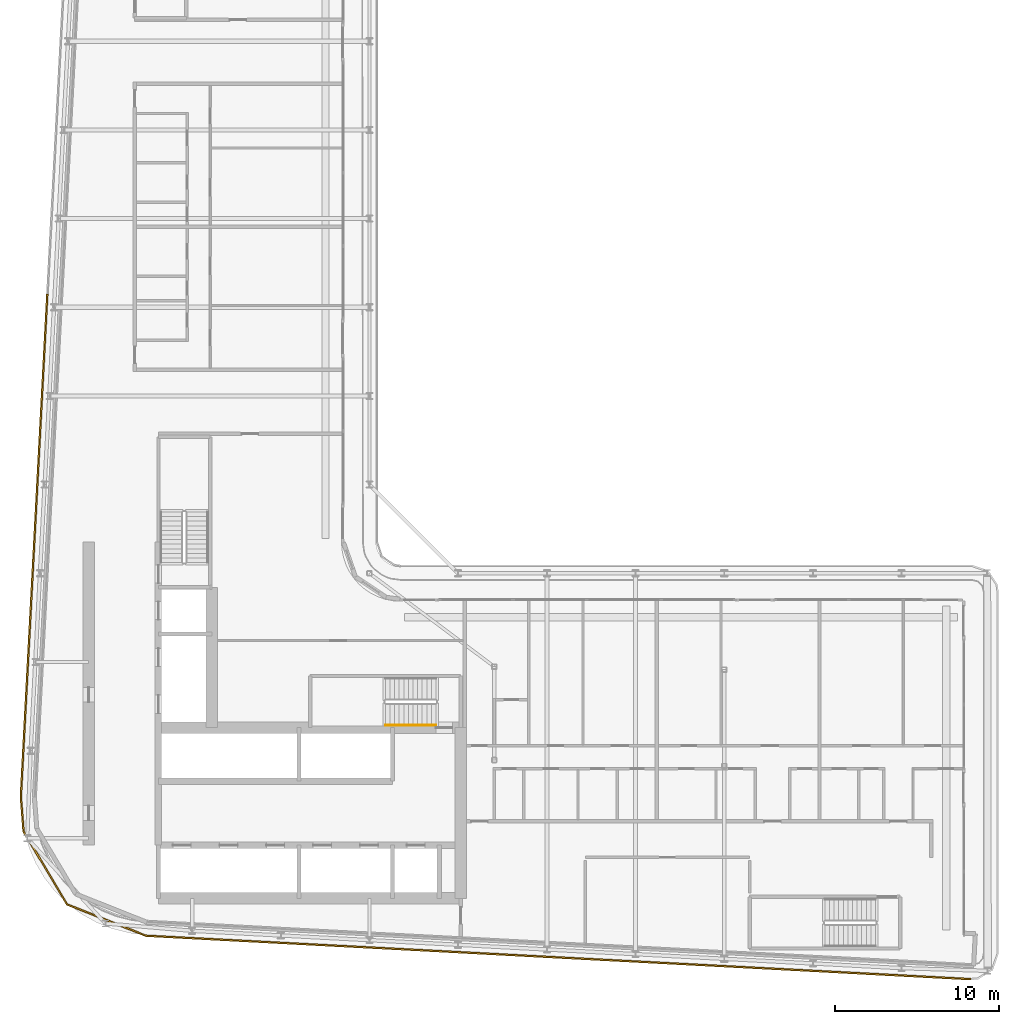
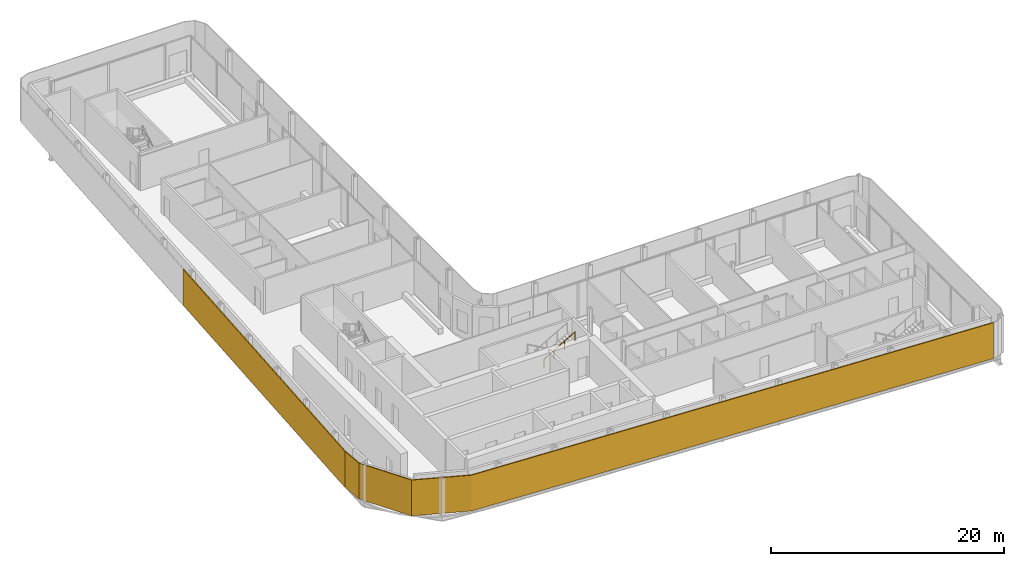
# One storey, part 15 of 21: 2 shading devices, 1 railing.
"""IFC4 building model written with IfcOpenShell, lengths in metres."""

from ifc_helpers import new_model, si_unit, direction, frame, origin, origin_2d, place, context, subcontext, project, spatial, polyline, rectangle, circle, outline, extrude, material, layer, layer_set, type_object, element, save


model = new_model("IFC4")

# Units and contexts
model_context = context("Model", 3, precision=1e-05, world=origin(), true_north=direction((0.0, 1.0)))
body_context = subcontext(model_context, "Body", "Model", "MODEL_VIEW")
ifc_project = project(units=[si_unit("LENGTHUNIT", "METRE"), si_unit("AREAUNIT", "SQUARE_METRE"), si_unit("VOLUMEUNIT", "CUBIC_METRE"), si_unit("PLANEANGLEUNIT", "RADIAN"), si_unit("MASSUNIT", "GRAM", prefix="KILO")], contexts=[model_context])

# Site, building, storey
site_placement = place(None, origin())
site = spatial("IfcSite", under=ifc_project, at=site_placement, CompositionType="ELEMENT")
building_placement = place(site_placement, origin())
building = spatial("IfcBuilding", under=site, at=building_placement, Name="Kheshtan School and Residences Tower", CompositionType="ELEMENT")
storey_placement = place(building_placement, frame((0.0, 0.0, 235.699951171875)))
storey = spatial("IfcBuildingStorey", under=building, at=storey_placement, Name="L55", CompositionType="ELEMENT", Elevation=235.699951171875)

# Shading devices
ifc_material_1 = material(Name="Terracotta baguette, extruded ceramic", Category="masonry")
ifc_layer = layer(ifc_material_1, 0.10009765625)
ifc_layer_set = layer_set([ifc_layer], Name="Ledge screen, terracotta baguettes")
shading_device_type = type_object("IfcShadingDeviceType", Name="Ledge screen, terracotta baguettes", PredefinedType="USERDEFINED", material=ifc_layer_set)
shading_device_1_placement = place(storey_placement, origin())
element("IfcShadingDevice", 1, at=shading_device_1_placement, inside=storey, type_object=shading_device_type, Name="Screen L55 3", ObjectType="BAGUETTE", PredefinedType="USERDEFINED", context=body_context, shape_type="SweptSolid", body=[
    extrude(outline(polyline([(84.220947265625, 20.93603515625), (33.989013671875, 23.580078125), (29.2119140625, 25.486083984375), (26.583984375, 29.906982421875), (26.419921875, 31.989013671875), (26.320068359375, 31.98095703125), (26.486083984375, 29.8759765625), (29.14306640625, 25.406005859375), (33.967041015625, 23.48095703125), (84.216064453125, 20.8359375), (84.220947265625, 20.93603515625)])), origin(), (0.0, 0.0, 1.0), 3.75),
])
shading_device_2_placement = place(storey_placement, frame((27.175048828125, 47.2890625, 0.0), z_axis=(0.0, 0.0, 1.0), x_axis=(0.052562536748, 0.998617634398, 0.0)))
element("IfcShadingDevice", 2, at=shading_device_2_placement, inside=storey, type_object=shading_device_type, Name="Screen L55 4", ObjectType="BAGUETTE", PredefinedType="USERDEFINED", context=body_context, shape_type="SweptSolid", body=[
    extrude(rectangle(XDim=30.636962890625, YDim=0.10009765625, at=origin_2d()), origin(), (0.0, 0.0, 1.0), 3.75),
])

# Railing
ifc_material_2 = material(Name="Stainless steel handrail", Category="steel")
railing_type = type_object("IfcRailingType", Name="Stair handrail 900", PredefinedType="HANDRAIL", material=ifc_material_2)
railing_placement = place(storey_placement, frame((48.570068359375, 36.35009765625, 2.112548828125)))
element("IfcRailing", 3, at=railing_placement, inside=storey, type_object=railing_type, Name="L55 ST1 stair handrail 2", PredefinedType="HANDRAIL", context=body_context, shape_type="SweptSolid", body=[
    extrude(circle(Radius=0.02392578125, at=origin_2d()), frame((0.0, 0.0, 0.8759765625), z_axis=(0.864873446163, 0.0, 0.501989962173), x_axis=(0.0, 1.0, 0.0)), (0.0, 0.0, 1.0), 3.56103515625),
    extrude(circle(Radius=0.02099609375, at=origin_2d()), origin(), (0.0, 0.0, 1.0), 0.851806640625),
    extrude(circle(Radius=0.02099609375, at=origin_2d()), frame((1.026611328125, 0.0, 0.595947265625)), (0.0, 0.0, 1.0), 0.851806640625),
    extrude(circle(Radius=0.02099609375, at=origin_2d()), frame((2.05322265625, 0.0, 1.191650390625)), (0.0, 0.0, 1.0), 0.851806640625),
    extrude(circle(Radius=0.02099609375, at=origin_2d()), frame((3.079833984375, 0.0, 1.78759765625)), (0.0, 0.0, 1.0), 0.851806640625),
])

save(model, "model.ifc")
